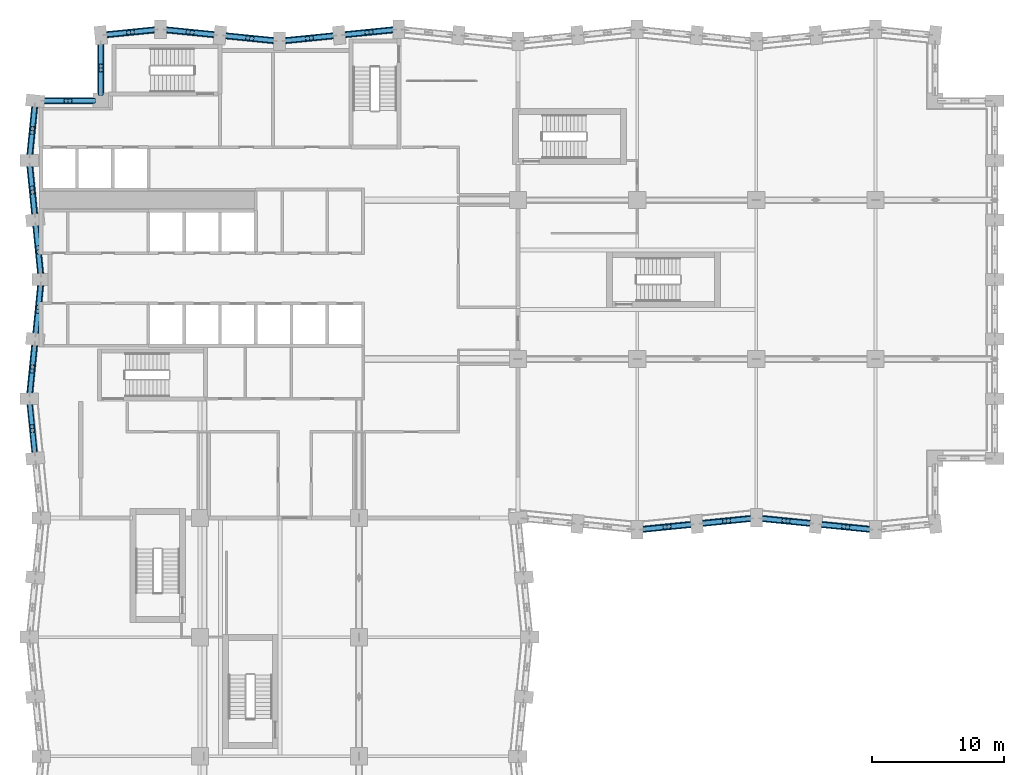
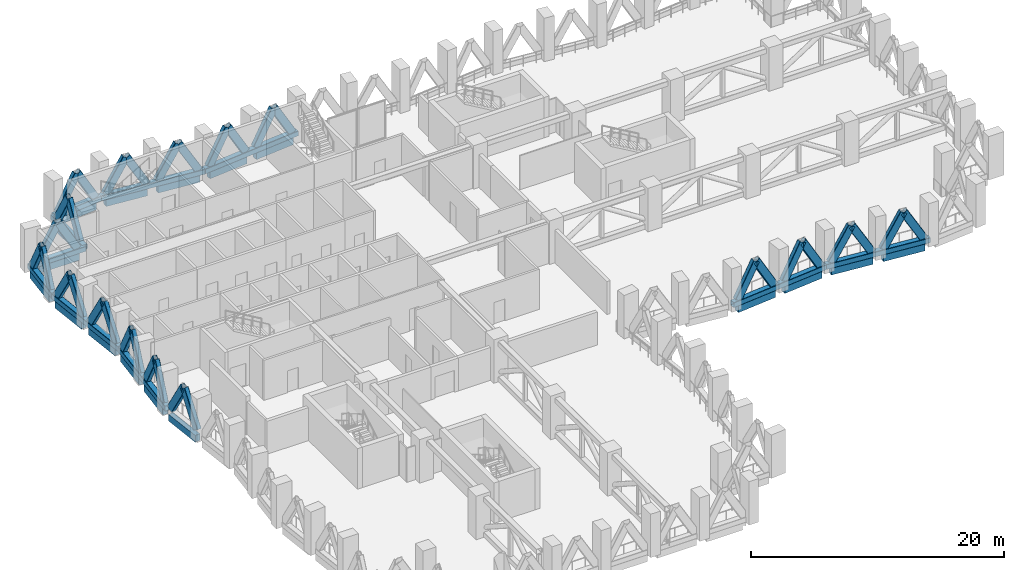
# One storey, part 5 of 25: 44 members, 17 beams.
"""IFC4 building model written with IfcOpenShell, lengths in metres."""

from ifc_helpers import new_model, si_unit, direction, frame, origin, origin_2d, place, context, subcontext, project, spatial, rectangle, hollow_rectangle, extrude, material, material_profile, profile_set, type_object, element, save


model = new_model("IFC4")

# Units and contexts
model_context = context("Model", 3, precision=1e-05, world=origin(), true_north=direction((0.0, 1.0)))
body_context = subcontext(model_context, "Body", "Model", "MODEL_VIEW")
ifc_project = project(units=[si_unit("LENGTHUNIT", "METRE"), si_unit("AREAUNIT", "SQUARE_METRE"), si_unit("VOLUMEUNIT", "CUBIC_METRE"), si_unit("PLANEANGLEUNIT", "RADIAN"), si_unit("MASSUNIT", "GRAM", prefix="KILO")], contexts=[model_context])

# Site, building, storey
site_placement = place(None, origin())
site = spatial("IfcSite", under=ifc_project, at=site_placement, CompositionType="ELEMENT")
building_placement = place(site_placement, origin())
building = spatial("IfcBuilding", under=site, at=building_placement, Name="Brondeck Convention Tower", CompositionType="ELEMENT")
storey_placement = place(building_placement, frame((0.0, 0.0, 84.300048828125)))
storey = spatial("IfcBuildingStorey", under=building, at=storey_placement, Name="L19", CompositionType="ELEMENT", Elevation=84.300048828125)

# Members
ifc_material_1 = material(Name="Steel S460", Category="steel")
ifc_material_profile_1 = material_profile(ifc_material_1, hollow_rectangle(XDim=0.39990234375, YDim=0.699951171875, WallThickness=0.030029296875, InnerFilletRadius=0.030029296875, OuterFilletRadius=0.06005859375, at=origin_2d()), Name="RHS 700x400x30")
ifc_profile_set_1 = profile_set([ifc_material_profile_1], Name="Steel S460")
member_type_1 = type_object("IfcMemberType", Name="Chevron brace RHS 700x400x30", PredefinedType="BRACE", material=ifc_profile_set_1)
for number, where, z_axis, x_axis, name in (
    (1, (45.497802734375, 26.14990234375, 0.5), (0.49751766528, 0.049703241745, 0.866028729601), (-0.099407628771, 0.995046794549, 0.0), "Belt truss BT-19-16 diagonal"),
    (2, (49.002197265625, 26.500244140625, 0.5), (-0.497515949904, -0.049772391254, 0.866025743647), (0.099544899705, -0.995033071281, 0.0), "Belt truss BT-19-16 diagonal"),
    (3, (49.997802734375, 26.599853515625, 0.5), (0.49751766528, 0.049703241745, 0.866028729601), (-0.099407628771, 0.995046794549, 0.0), "Belt truss BT-19-17 diagonal"),
    (4, (53.502197265625, 26.9501953125, 0.5), (-0.497515949904, -0.049772391254, 0.866025743647), (0.099544899705, -0.995033071281, 0.0), "Belt truss BT-19-17 diagonal"),
    (5, (54.497802734375, 26.9501953125, 0.5), (0.497515949904, -0.049772391254, 0.866025743647), (0.099544899705, 0.995033071281, 0.0), "Belt truss BT-19-18 diagonal"),
    (6, (58.002197265625, 26.599853515625, 0.5), (-0.49751766528, 0.049703241745, 0.866028729601), (-0.099407628771, -0.995046794549, 0.0), "Belt truss BT-19-18 diagonal"),
    (7, (58.997802734375, 26.500244140625, 0.5), (0.497515949904, -0.049772391254, 0.866025743647), (0.099544899705, 0.995033071281, 0.0), "Belt truss BT-19-19 diagonal"),
    (8, (62.502197265625, 26.14990234375, 0.5), (-0.49751766528, 0.049703241745, 0.866028729601), (-0.099407628771, -0.995046794549, 0.0), "Belt truss BT-19-19 diagonal"),
    (9, (26.502197265625, 63.85009765625, 0.5), (-0.49751766528, -0.049703241745, 0.866028729601), (0.099407628771, -0.995046794549, 0.0), "Belt truss BT-19-40 diagonal"),
    (10, (22.997802734375, 63.499755859375, 0.5), (0.497515949904, 0.049772391254, 0.866025743647), (-0.099544899705, 0.995033071281, 0.0), "Belt truss BT-19-40 diagonal"),
    (11, (22.002197265625, 63.400146484375, 0.5), (-0.49751766528, -0.049703241745, 0.866028729601), (0.099407628771, -0.995046794549, 0.0), "Belt truss BT-19-41 diagonal"),
    (12, (18.497802734375, 63.0498046875, 0.5), (0.497515949904, 0.049772391254, 0.866025743647), (-0.099544899705, 0.995033071281, 0.0), "Belt truss BT-19-41 diagonal"),
    (13, (17.502197265625, 63.0498046875, 0.5), (-0.497515949904, 0.049772391254, 0.866025743647), (-0.099544899705, -0.995033071281, 0.0), "Belt truss BT-19-42 diagonal"),
    (14, (13.997802734375, 63.400146484375, 0.5), (0.49751766528, -0.049703241745, 0.866028729601), (0.099407628771, 0.995046794549, 0.0), "Belt truss BT-19-42 diagonal"),
    (15, (13.002197265625, 63.499755859375, 0.5), (-0.497515949904, 0.049772391254, 0.866025743647), (-0.099544899705, -0.995033071281, 0.0), "Belt truss BT-19-43 diagonal"),
    (16, (9.497802734375, 63.85009765625, 0.5), (0.49751766528, -0.049703241745, 0.866028729601), (0.099407628771, 0.995046794549, 0.0), "Belt truss BT-19-43 diagonal"),
    (17, (8.502197265625, 63.85009765625, 0.5), (-0.49751766528, -0.049703241745, 0.866028729601), (0.099407628771, -0.995046794549, 0.0), "Belt truss BT-19-44 diagonal"),
    (18, (4.997802734375, 63.499755859375, 0.5), (0.497515949904, 0.049772391254, 0.866025743647), (-0.099544899705, 0.995033071281, 0.0), "Belt truss BT-19-44 diagonal"),
):
    element("IfcMember", number, at=place(storey_placement, frame(where, z_axis=z_axis, x_axis=x_axis)), inside=storey, type_object=member_type_1, Name=name, PredefinedType="BRACE", context=body_context, shape_type="SweptSolid", body=[
        extrude(hollow_rectangle(XDim=0.39990234375, YDim=0.699951171875, WallThickness=0.030029296875, InnerFilletRadius=0.030029296875, OuterFilletRadius=0.06005859375, at=origin_2d()), origin(), (0.0, 0.0, 1.0), 3.52197265625),
    ])
member_1_placement = place(storey_placement, frame((4.5, 62.73583984375, 0.5), z_axis=(0.0, -0.499956486466, 0.866050524878), x_axis=(1.0, 0.0, 0.0)))
element("IfcMember", 19, at=member_1_placement, inside=storey, type_object=member_type_1, Name="Belt truss BT-19-45 diagonal", PredefinedType="BRACE", context=body_context, shape_type="SweptSolid", body=[
    extrude(hollow_rectangle(XDim=0.39990234375, YDim=0.699951171875, WallThickness=0.030029296875, InnerFilletRadius=0.030029296875, OuterFilletRadius=0.06005859375, at=origin_2d()), origin(), (0.0, 0.0, 1.0), 3.521728515625),
])
for number, where, z_axis, x_axis, name in (
    (20, (4.5, 59.214111328125, 0.5), (0.0, 0.500008478926, 0.866020508419), (-1.0, 0.0, 0.0), "Belt truss BT-19-45 diagonal"),
    (21, (3.785888671875, 58.5, 0.5), (-0.500008478926, 0.0, 0.866020508419), (0.0, -1.0, 0.0), "Belt truss BT-19-46 diagonal"),
):
    element("IfcMember", number, at=place(storey_placement, frame(where, z_axis=z_axis, x_axis=x_axis)), inside=storey, type_object=member_type_1, Name=name, PredefinedType="BRACE", context=body_context, shape_type="SweptSolid", body=[
        extrude(hollow_rectangle(XDim=0.39990234375, YDim=0.699951171875, WallThickness=0.030029296875, InnerFilletRadius=0.030029296875, OuterFilletRadius=0.06005859375, at=origin_2d()), origin(), (0.0, 0.0, 1.0), 3.52197265625),
    ])
member_2_placement = place(storey_placement, frame((0.26416015625, 58.5, 0.5), z_axis=(0.499956486466, 0.0, 0.866050524878), x_axis=(0.0, 1.0, 0.0)))
element("IfcMember", 22, at=member_2_placement, inside=storey, type_object=member_type_1, Name="Belt truss BT-19-46 diagonal", PredefinedType="BRACE", context=body_context, shape_type="SweptSolid", body=[
    extrude(hollow_rectangle(XDim=0.39990234375, YDim=0.699951171875, WallThickness=0.030029296875, InnerFilletRadius=0.030029296875, OuterFilletRadius=0.06005859375, at=origin_2d()), origin(), (0.0, 0.0, 1.0), 3.521728515625),
])
for number, where, z_axis, x_axis, name in (
    (23, (-0.499755859375, 58.002197265625, 0.5), (-0.049772391254, -0.497515949904, 0.866025743647), (0.995033071281, -0.099544899705, 0.0), "Belt truss BT-19-47 diagonal"),
    (24, (-0.85009765625, 54.497802734375, 0.5), (0.049703241745, 0.49751766528, 0.866028729601), (-0.995046794549, 0.099407628771, 0.0), "Belt truss BT-19-47 diagonal"),
    (25, (-0.85009765625, 53.502197265625, 0.5), (0.049703241745, -0.49751766528, 0.866028729601), (0.995046794549, 0.099407628771, 0.0), "Belt truss BT-19-48 diagonal"),
    (26, (-0.499755859375, 49.997802734375, 0.5), (-0.049772391254, 0.497515949904, 0.866025743647), (-0.995033071281, -0.099544899705, 0.0), "Belt truss BT-19-48 diagonal"),
    (27, (-0.400146484375, 49.002197265625, 0.5), (0.049703241745, -0.49751766528, 0.866028729601), (0.995046794549, 0.099407628771, 0.0), "Belt truss BT-19-49 diagonal"),
    (28, (-0.0498046875, 45.497802734375, 0.5), (-0.049772391254, 0.497515949904, 0.866025743647), (-0.995033071281, -0.099544899705, 0.0), "Belt truss BT-19-49 diagonal"),
    (29, (-0.0498046875, 44.502197265625, 0.5), (-0.049772391254, -0.497515949904, 0.866025743647), (0.995033071281, -0.099544899705, 0.0), "Belt truss BT-19-50 diagonal"),
    (30, (-0.400146484375, 40.997802734375, 0.5), (0.049703241745, 0.49751766528, 0.866028729601), (-0.995046794549, 0.099407628771, 0.0), "Belt truss BT-19-50 diagonal"),
    (31, (-0.499755859375, 40.002197265625, 0.5), (-0.049772391254, -0.497515949904, 0.866025743647), (0.995033071281, -0.099544899705, 0.0), "Belt truss BT-19-51 diagonal"),
    (32, (-0.85009765625, 36.497802734375, 0.5), (0.049703241745, 0.49751766528, 0.866028729601), (-0.995046794549, 0.099407628771, 0.0), "Belt truss BT-19-51 diagonal"),
    (33, (-0.85009765625, 35.502197265625, 0.5), (0.049703241745, -0.49751766528, 0.866028729601), (0.995046794549, 0.099407628771, 0.0), "Belt truss BT-19-52 diagonal"),
    (34, (-0.499755859375, 31.997802734375, 0.5), (-0.049772391254, 0.497515949904, 0.866025743647), (-0.995033071281, -0.099544899705, 0.0), "Belt truss BT-19-52 diagonal"),
):
    element("IfcMember", number, at=place(storey_placement, frame(where, z_axis=z_axis, x_axis=x_axis)), inside=storey, type_object=member_type_1, Name=name, PredefinedType="BRACE", context=body_context, shape_type="SweptSolid", body=[
        extrude(hollow_rectangle(XDim=0.39990234375, YDim=0.699951171875, WallThickness=0.030029296875, InnerFilletRadius=0.030029296875, OuterFilletRadius=0.06005859375, at=origin_2d()), origin(), (0.0, 0.0, 1.0), 3.52197265625),
    ])

# Beams
ifc_material_2 = material(Name="Concrete C80/95", Category="concrete")
ifc_material_profile_2 = material_profile(ifc_material_2, rectangle(XDim=0.449951171875, YDim=0.64990234375, at=origin_2d()), Name="Precast spandrel 450x650 Concrete C80/95")
ifc_profile_set_2 = profile_set([ifc_material_profile_2], Name="Concrete C80/95")
beam_type = type_object("IfcBeamType", Name="Precast spandrel 450x650 Concrete C80/95", PredefinedType="SPANDREL", material=ifc_profile_set_2)
for number, where, z_axis, x_axis, name in (
    (35, (45.449951171875, 26.14501953125, -0.324951171875), (0.995040528141, 0.099470334057, 0.0), (-0.099470334057, 0.995040528141, 0.0), "STR-SP-L19-016"),
    (36, (49.94775390625, 26.5947265625, -0.324951171875), (0.995033851182, 0.099537103649, 0.0), (-0.099537103649, 0.995033851182, 0.0), "STR-SP-L19-017"),
    (37, (54.449951171875, 26.955078125, -0.324951171875), (0.995033851182, -0.099537103649, 0.0), (0.099537103649, 0.995033851182, 0.0), "STR-SP-L19-018"),
    (38, (58.94775390625, 26.505126953125, -0.324951171875), (0.995040528141, -0.099470334057, 0.0), (0.099470334057, 0.995040528141, 0.0), "STR-SP-L19-019"),
    (39, (26.550048828125, 63.85498046875, -0.324951171875), (-0.995040528141, -0.099470334057, 0.0), (0.099470334057, -0.995040528141, 0.0), "STR-SP-L19-040"),
    (40, (22.05224609375, 63.4052734375, -0.324951171875), (-0.995033851182, -0.099537103649, 0.0), (0.099537103649, -0.995033851182, 0.0), "STR-SP-L19-041"),
    (41, (17.550048828125, 63.044921875, -0.324951171875), (-0.995033851182, 0.099537103649, 0.0), (-0.099537103649, -0.995033851182, 0.0), "STR-SP-L19-042"),
    (42, (13.05224609375, 63.494873046875, -0.324951171875), (-0.995040528141, 0.099470334057, 0.0), (-0.099470334057, -0.995040528141, 0.0), "STR-SP-L19-043"),
    (43, (8.550048828125, 63.85498046875, -0.324951171875), (-0.995040528141, -0.099470334057, 0.0), (0.099470334057, -0.995040528141, 0.0), "STR-SP-L19-044"),
):
    element("IfcBeam", number, at=place(storey_placement, frame(where, z_axis=z_axis, x_axis=x_axis)), inside=storey, type_object=beam_type, Name=name, PredefinedType="SPANDREL", context=body_context, shape_type="SweptSolid", body=[
        extrude(rectangle(XDim=0.449951171875, YDim=0.64990234375, at=origin_2d()), origin(), (0.0, 0.0, 1.0), 3.620361328125),
    ])
for number, where, z_axis, x_axis, name in (
    (44, (4.5, 62.74658203125, -0.324951171875), (0.0, -1.0, 0.0), (1.0, 0.0, 0.0), "STR-SP-L19-045"),
    (45, (3.89990234375, 58.5, -0.324951171875), (-1.0, 0.0, 0.0), (0.0, -1.0, 0.0), "STR-SP-L19-046"),
):
    element("IfcBeam", number, at=place(storey_placement, frame(where, z_axis=z_axis, x_axis=x_axis)), inside=storey, type_object=beam_type, Name=name, PredefinedType="SPANDREL", context=body_context, shape_type="SweptSolid", body=[
        extrude(rectangle(XDim=0.449951171875, YDim=0.64990234375, at=origin_2d()), origin(), (0.0, 0.0, 1.0), 3.646484375),
    ])
for number, where, z_axis, x_axis, name in (
    (46, (-0.494873046875, 58.05224609375, -0.324951171875), (-0.099470334057, -0.995040528141, 0.0), (0.995040528141, -0.099470334057, 0.0), "STR-SP-L19-047"),
    (47, (-0.85498046875, 53.550048828125, -0.324951171875), (0.099470334057, -0.995040528141, 0.0), (0.995040528141, 0.099470334057, 0.0), "STR-SP-L19-048"),
    (48, (-0.4052734375, 49.05224609375, -0.324951171875), (0.099537103649, -0.995033851182, 0.0), (0.995033851182, 0.099537103649, 0.0), "STR-SP-L19-049"),
    (49, (-0.044921875, 44.550048828125, -0.324951171875), (-0.099537103649, -0.995033851182, 0.0), (0.995033851182, -0.099537103649, 0.0), "STR-SP-L19-050"),
    (50, (-0.494873046875, 40.05224609375, -0.324951171875), (-0.099470334057, -0.995040528141, 0.0), (0.995040528141, -0.099470334057, 0.0), "STR-SP-L19-051"),
    (51, (-0.85498046875, 35.550048828125, -0.324951171875), (0.099470334057, -0.995040528141, 0.0), (0.995040528141, 0.099470334057, 0.0), "STR-SP-L19-052"),
):
    element("IfcBeam", number, at=place(storey_placement, frame(where, z_axis=z_axis, x_axis=x_axis)), inside=storey, type_object=beam_type, Name=name, PredefinedType="SPANDREL", context=body_context, shape_type="SweptSolid", body=[
        extrude(rectangle(XDim=0.449951171875, YDim=0.64990234375, at=origin_2d()), origin(), (0.0, 0.0, 1.0), 3.620361328125),
    ])

# Members
ifc_material_profile_3 = material_profile(ifc_material_1, hollow_rectangle(XDim=0.5, YDim=0.5, WallThickness=0.02490234375, InnerFilletRadius=0.02490234375, OuterFilletRadius=0.050048828125, at=origin_2d()), Name="RHS 500x500x25")
ifc_profile_set_3 = profile_set([ifc_material_profile_3], Name="Steel S460")
member_type_2 = type_object("IfcMemberType", Name="Truss chord RHS 500x500x25", PredefinedType="CHORD", material=ifc_profile_set_3)
for number, where, z_axis, x_axis, name in (
    (52, (45.0, 26.10009765625, 0.25), (0.995038259148, 0.099493029059, 0.0), (-0.099493029059, 0.995038259148, 0.0), "Belt truss BT-19-8 chord"),
    (53, (54.0, 27.0, 0.25), (0.995038259148, -0.099493029059, 0.0), (0.099493029059, 0.995038259148, 0.0), "Belt truss BT-19-9 chord"),
    (54, (27.0, 63.89990234375, 0.25), (-0.995038259148, -0.099493029059, 0.0), (0.099493029059, -0.995038259148, 0.0), "Belt truss BT-19-21 chord"),
    (55, (18.0, 63.0, 0.25), (-0.995038259148, 0.099493029059, 0.0), (-0.099493029059, -0.995038259148, 0.0), "Belt truss BT-19-22 chord"),
):
    element("IfcMember", number, at=place(storey_placement, frame(where, z_axis=z_axis, x_axis=x_axis)), inside=storey, type_object=member_type_2, Name=name, PredefinedType="CHORD", context=body_context, shape_type="SweptSolid", body=[
        extrude(hollow_rectangle(XDim=0.5, YDim=0.5, WallThickness=0.02490234375, InnerFilletRadius=0.02490234375, OuterFilletRadius=0.050048828125, at=origin_2d()), origin(), (0.0, 0.0, 1.0), 9.044921875),
    ])
member_3_placement = place(storey_placement, frame((9.0, 63.89990234375, 0.25), z_axis=(-0.995038259148, -0.099493029059, 0.0), x_axis=(0.099493029059, -0.995038259148, 0.0)))
element("IfcMember", 56, at=member_3_placement, inside=storey, type_object=member_type_2, Name="Belt truss BT-19-23 chord", PredefinedType="CHORD", context=body_context, shape_type="SweptSolid", body=[
    extrude(hollow_rectangle(XDim=0.5, YDim=0.5, WallThickness=0.02490234375, InnerFilletRadius=0.02490234375, OuterFilletRadius=0.050048828125, at=origin_2d()), origin(), (0.0, 0.0, 1.0), 4.5224609375),
])
for number, where, z_axis, x_axis, name in (
    (57, (4.5, 63.449951171875, 0.25), (0.0, -1.0, 0.0), (1.0, 0.0, 0.0), "Belt truss BT-19-24 chord"),
    (58, (4.5, 58.5, 0.25), (-1.0, 0.0, 0.0), (0.0, -1.0, 0.0), "Belt truss BT-19-25 chord"),
):
    element("IfcMember", number, at=place(storey_placement, frame(where, z_axis=z_axis, x_axis=x_axis)), inside=storey, type_object=member_type_2, Name=name, PredefinedType="CHORD", context=body_context, shape_type="SweptSolid", body=[
        extrude(hollow_rectangle(XDim=0.5, YDim=0.5, WallThickness=0.02490234375, InnerFilletRadius=0.02490234375, OuterFilletRadius=0.050048828125, at=origin_2d()), origin(), (0.0, 0.0, 1.0), 4.949951171875),
    ])
member_4_placement = place(storey_placement, frame((-0.449951171875, 58.5, 0.25), z_axis=(-0.099493029059, -0.995038259148, 0.0), x_axis=(0.995038259148, -0.099493029059, 0.0)))
element("IfcMember", 59, at=member_4_placement, inside=storey, type_object=member_type_2, Name="Belt truss BT-19-26 chord", PredefinedType="CHORD", context=body_context, shape_type="SweptSolid", body=[
    extrude(hollow_rectangle(XDim=0.5, YDim=0.5, WallThickness=0.02490234375, InnerFilletRadius=0.02490234375, OuterFilletRadius=0.050048828125, at=origin_2d()), origin(), (0.0, 0.0, 1.0), 4.5224609375),
])
for number, where, z_axis, x_axis, name in (
    (60, (-0.89990234375, 54.0, 0.25), (0.099493029059, -0.995038259148, 0.0), (0.995038259148, 0.099493029059, 0.0), "Belt truss BT-19-27 chord"),
    (61, (0.0, 45.0, 0.25), (-0.099493029059, -0.995038259148, 0.0), (0.995038259148, -0.099493029059, 0.0), "Belt truss BT-19-28 chord"),
):
    element("IfcMember", number, at=place(storey_placement, frame(where, z_axis=z_axis, x_axis=x_axis)), inside=storey, type_object=member_type_2, Name=name, PredefinedType="CHORD", context=body_context, shape_type="SweptSolid", body=[
        extrude(hollow_rectangle(XDim=0.5, YDim=0.5, WallThickness=0.02490234375, InnerFilletRadius=0.02490234375, OuterFilletRadius=0.050048828125, at=origin_2d()), origin(), (0.0, 0.0, 1.0), 9.044921875),
    ])

save(model, "model.ifc")
